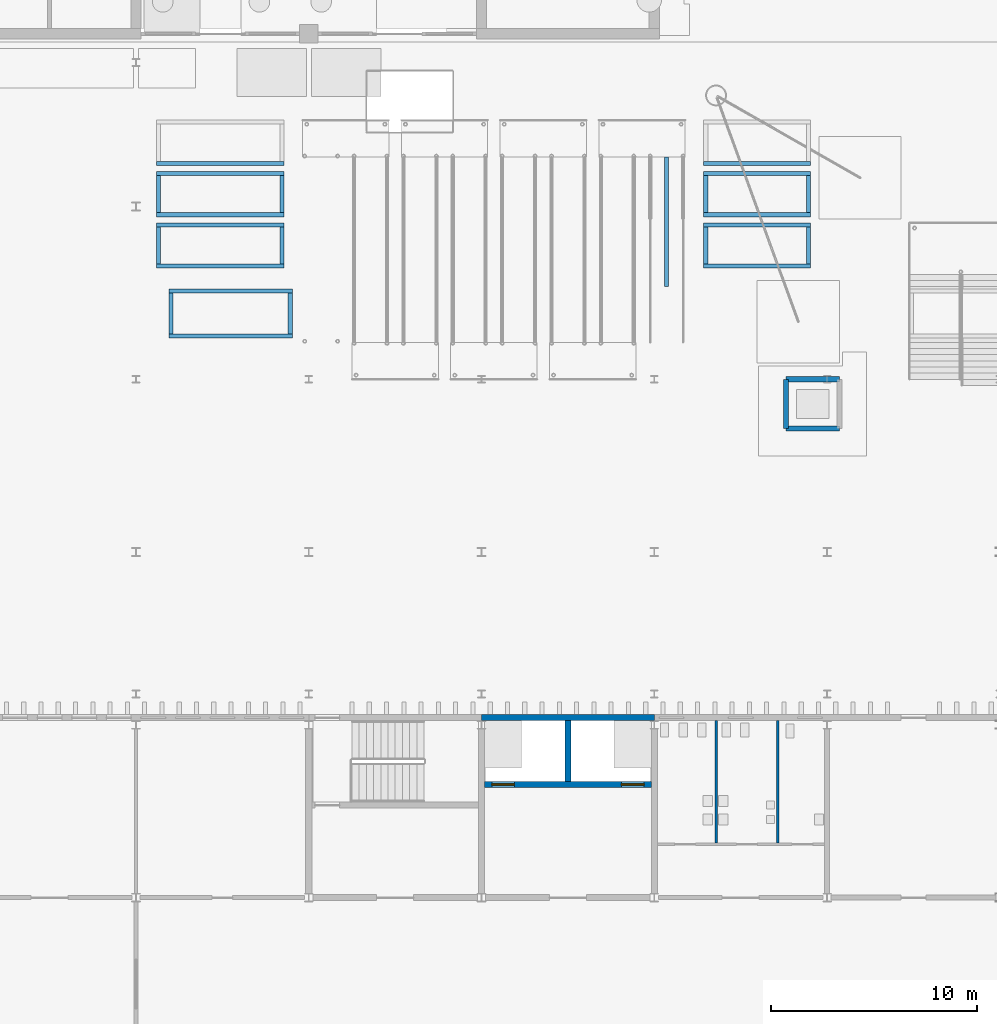
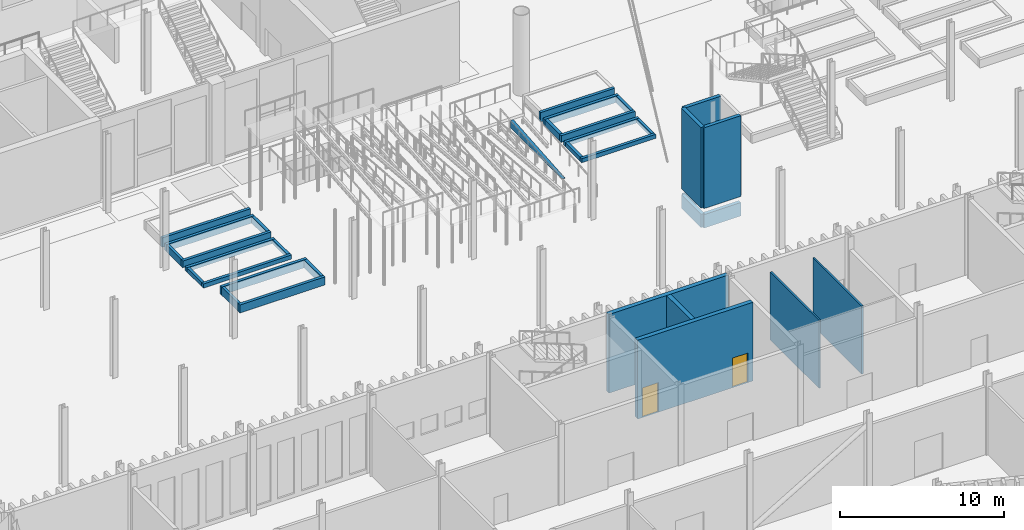
# One storey, part 60 of 108: 34 walls, 2 doors, 2 openings.
"""IFC4 building model written with IfcOpenShell, lengths in metres."""

from ifc_helpers import new_model, si_unit, direction, frame, frame_2d, origin, place, context, subcontext, project, spatial, polyline, rectangle, outline, extrude, material, layer, layer_set, type_object, element, fill, save


model = new_model("IFC4")

# Units and contexts
model_context = context("Model", 3, precision=1e-05, world=origin(), true_north=direction((0.0, 1.0)))
body_context = subcontext(model_context, "Body", "Model", "MODEL_VIEW")
ifc_project = project(units=[si_unit("LENGTHUNIT", "METRE"), si_unit("AREAUNIT", "SQUARE_METRE"), si_unit("VOLUMEUNIT", "CUBIC_METRE"), si_unit("PLANEANGLEUNIT", "RADIAN"), si_unit("MASSUNIT", "GRAM", prefix="KILO")], contexts=[model_context])

# Site, building, storey
site_placement = place(None, origin())
site = spatial("IfcSite", under=ifc_project, at=site_placement, CompositionType="ELEMENT")
building_placement = place(site_placement, origin())
building = spatial("IfcBuilding", under=site, at=building_placement, Name="Cresset Court Congress Hotel", CompositionType="ELEMENT")
storey_placement = place(building_placement, origin())
storey = spatial("IfcBuildingStorey", under=building, at=storey_placement, Name="L00", CompositionType="ELEMENT", Elevation=0.0)

# Wall, openings, doors
ifc_material_1 = material(Name="Concrete C50", Category="concrete")
ifc_layer_1 = layer(ifc_material_1, 0.300048828125)
ifc_layer_set_1 = layer_set([ifc_layer_1], Name="Core wall 300 Concrete C50")
wall_type_1 = type_object("IfcWallType", Name="Core wall 300 Concrete C50", PredefinedType="SHEAR", material=ifc_layer_set_1)
wall_1_placement = place(storey_placement, frame((109.35009765625, 22.300048828125, 0.0), z_axis=(0.0, 0.0, 1.0), x_axis=(1.0, 0.0, 0.0)))
wall_1 = element("IfcWall", 1, at=wall_1_placement, inside=storey, type_object=wall_type_1, Name="Core wall LC-B2", PredefinedType="SHEAR", context=body_context, shape_type="SweptSolid", body=[
    extrude(rectangle(XDim=8.099853515625, YDim=0.300048828125, at=frame_2d((4.0498046875, 0.0))), origin(), (0.0, 0.0, 1.0), 5.85009765625),
])
opening_1_placement = place(wall_1_placement, frame((0.35009765625, 0.0, 0.0)))
opening_1 = element("IfcOpeningElement", 2, at=opening_1_placement, cuts=wall_1, Name="Opening LD-B2-03", PredefinedType="OPENING", context=body_context, shape_type="SweptSolid", body=[
    extrude(rectangle(XDim=1.10009765625, YDim=2.199951171875, at=frame_2d((0.550048828125, 1.10009765625))), frame((0.0, 0.159912109375, 0.0), z_axis=(0.0, -1.0, 0.0), x_axis=(1.0, 0.0, 0.0)), (0.0, 0.0, 1.0), 0.320068359375),
])
opening_2_placement = place(wall_1_placement, frame((6.64990234375, 0.0, 0.0)))
opening_2 = element("IfcOpeningElement", 3, at=opening_2_placement, cuts=wall_1, Name="Opening LD-B2-04", PredefinedType="OPENING", context=body_context, shape_type="SweptSolid", body=[
    extrude(rectangle(XDim=1.10009765625, YDim=2.199951171875, at=frame_2d((0.550048828125, 1.10009765625))), frame((0.0, 0.159912109375, 0.0), z_axis=(0.0, -1.0, 0.0), x_axis=(1.0, 0.0, 0.0)), (0.0, 0.0, 1.0), 0.320068359375),
])
ifc_material_2 = material(Name="Stainless steel", Category="steel")
door_type = type_object("IfcDoorType", Name="Lift landing door sliding 1100x2200", OperationType="SLIDING_TO_LEFT", PredefinedType="DOOR", material=ifc_material_2)
door_1_placement = place(opening_1_placement, origin())
door_1 = element("IfcDoor", 4, at=door_1_placement, inside=storey, type_object=door_type, Name="Lift landing door LD-B2-03", OperationType="SLIDING_TO_LEFT", OverallHeight=2.199951171875, OverallWidth=1.10009765625, PredefinedType="DOOR", context=body_context, shape_type="SweptSolid", body=[
    extrude(rectangle(XDim=1.10009765625, YDim=2.199951171875, at=frame_2d((0.550048828125, 1.10009765625))), frame((0.0, 0.02490234375, 0.0), z_axis=(0.0, -1.0, 0.0), x_axis=(1.0, 0.0, 0.0)), (0.0, 0.0, 1.0), 0.050048828125),
])
fill(opening_1, door_1)
door_2_placement = place(opening_2_placement, origin())
door_2 = element("IfcDoor", 5, at=door_2_placement, inside=storey, type_object=door_type, Name="Lift landing door LD-B2-04", OperationType="SLIDING_TO_LEFT", OverallHeight=2.199951171875, OverallWidth=1.10009765625, PredefinedType="DOOR", context=body_context, shape_type="SweptSolid", body=[
    extrude(rectangle(XDim=1.10009765625, YDim=2.199951171875, at=frame_2d((0.550048828125, 1.10009765625))), frame((0.0, 0.02490234375, 0.0), z_axis=(0.0, -1.0, 0.0), x_axis=(1.0, 0.0, 0.0)), (0.0, 0.0, 1.0), 0.050048828125),
])
fill(opening_2, door_2)

# Walls
wall_2_placement = place(storey_placement, frame((113.39990234375, 22.449951171875, 0.0), z_axis=(0.0, 0.0, 1.0), x_axis=(0.0, 1.0, 0.0)))
element("IfcWall", 6, at=wall_2_placement, inside=storey, type_object=wall_type_1, Name="Core wall LC-B2", PredefinedType="SHEAR", context=body_context, shape_type="SweptSolid", body=[
    extrude(rectangle(XDim=2.949951171875, YDim=0.300048828125, at=frame_2d((1.47509765625, 0.0))), origin(), (0.0, 0.0, 1.0), 5.85009765625),
])
ifc_material_3 = material(Name="Concrete C50", Category="concrete")
ifc_layer_2 = layer(ifc_material_3, 0.300048828125)
ifc_layer_set_2 = layer_set([ifc_layer_2], Name="Core wall 300 Concrete C50 external")
wall_type_2 = type_object("IfcWallType", Name="Core wall 300 Concrete C50 external", PredefinedType="SHEAR", material=ifc_layer_set_2)
wall_3_placement = place(storey_placement, frame((109.199951171875, 25.550048828125, 0.0), z_axis=(0.0, 0.0, 1.0), x_axis=(1.0, 0.0, 0.0)))
element("IfcWall", 7, at=wall_3_placement, inside=storey, type_object=wall_type_2, Name="Core wall LC-B2", PredefinedType="SHEAR", context=body_context, shape_type="SweptSolid", body=[
    extrude(rectangle(XDim=8.400146484375, YDim=0.300048828125, at=frame_2d((4.2001953125, 0.0))), origin(), (0.0, 0.0, 1.0), 5.85009765625),
])
ifc_material_4 = material(Name="Concrete C50", Category="concrete")
ifc_layer_3 = layer(ifc_material_4, 0.25)
ifc_layer_set_3 = layer_set([ifc_layer_3], Name="Lift shaft wall 250")
wall_type_3 = type_object("IfcWallType", Name="Lift shaft wall 250", PredefinedType="SOLIDWALL", material=ifc_layer_set_3)
for number, where, z_axis, x_axis, name in (
    (8, (124.0, 39.60009765625, -1.449951171875), (0.0, 0.0, 1.0), (1.0, 0.0, 0.0), "S.lift.L00.LF-S1.pit.S"),
    (9, (124.0, 42.0, -1.449951171875), (0.0, 0.0, 1.0), (1.0, 0.0, 0.0), "S.lift.L00.LF-S1.pit.N"),
):
    element("IfcWall", number, at=place(storey_placement, frame(where, z_axis=z_axis, x_axis=x_axis)), inside=storey, type_object=wall_type_3, Name=name, PredefinedType="SOLIDWALL", context=body_context, shape_type="SweptSolid", body=[
        extrude(rectangle(XDim=2.60009765625, YDim=0.25, at=frame_2d((1.300048828125, 0.0))), origin(), (0.0, 0.0, 1.0), 1.0),
    ])
wall_4_placement = place(storey_placement, frame((124.0, 39.60009765625, -1.449951171875), z_axis=(0.0, 0.0, 1.0), x_axis=(0.0, 1.0, 0.0)))
element("IfcWall", 10, at=wall_4_placement, inside=storey, type_object=wall_type_3, Name="S.lift.L00.LF-S1.pit.W", PredefinedType="SOLIDWALL", context=body_context, shape_type="SweptSolid", body=[
    extrude(rectangle(XDim=2.39990234375, YDim=0.25, at=frame_2d((1.199951171875, 0.0))), origin(), (0.0, 0.0, 1.0), 1.0),
])
for number, where, z_axis, x_axis, name in (
    (11, (124.0, 39.60009765625, 0.0), (0.0, 0.0, 1.0), (1.0, 0.0, 0.0), "S.lift.L00.LF-S1.S"),
    (12, (124.0, 42.0, 0.0), (0.0, 0.0, 1.0), (1.0, 0.0, 0.0), "S.lift.L00.LF-S1.N"),
):
    element("IfcWall", number, at=place(storey_placement, frame(where, z_axis=z_axis, x_axis=x_axis)), inside=storey, type_object=wall_type_3, Name=name, PredefinedType="SOLIDWALL", context=body_context, shape_type="SweptSolid", body=[
        extrude(rectangle(XDim=2.60009765625, YDim=0.25, at=frame_2d((1.300048828125, 0.0))), origin(), (0.0, 0.0, 1.0), 6.0),
    ])
wall_5_placement = place(storey_placement, frame((124.0, 39.60009765625, 0.0), z_axis=(0.0, 0.0, 1.0), x_axis=(0.0, 1.0, 0.0)))
element("IfcWall", 13, at=wall_5_placement, inside=storey, type_object=wall_type_3, Name="S.lift.L00.LF-S1.W", PredefinedType="SOLIDWALL", context=body_context, shape_type="SweptSolid", body=[
    extrude(rectangle(XDim=2.39990234375, YDim=0.25, at=frame_2d((1.199951171875, 0.0))), origin(), (0.0, 0.0, 1.0), 6.0),
])
ifc_material_5 = material(Name="Concrete C35", Category="concrete")
ifc_layer_4 = layer(ifc_material_5, 0.199951171875)
ifc_layer_set_4 = layer_set([ifc_layer_4], Name="Planter wall 200")
wall_type_4 = type_object("IfcWallType", Name="Planter wall 200", PredefinedType="SOLIDWALL", material=ifc_layer_set_4)
for number, where, z_axis, x_axis, name in (
    (14, (93.39990234375, 47.5, 0.0), (0.0, 0.0, 1.0), (1.0, 0.0, 0.0), "Terrace planter wall 07"),
    (15, (93.39990234375, 49.5, 0.0), (0.0, 0.0, 1.0), (1.0, 0.0, 0.0), "Terrace planter wall 07"),
):
    element("IfcWall", number, at=place(storey_placement, frame(where, z_axis=z_axis, x_axis=x_axis)), inside=storey, type_object=wall_type_4, Name=name, PredefinedType="SOLIDWALL", context=body_context, shape_type="SweptSolid", body=[
        extrude(rectangle(XDim=6.2001953125, YDim=0.199951171875, at=frame_2d((3.10009765625, 0.0))), origin(), (0.0, 0.0, 1.0), 0.300048828125),
    ])
for number, where, z_axis, x_axis, name in (
    (16, (93.5, 47.60009765625, 0.0), (0.0, 0.0, 1.0), (0.0, 1.0, 0.0), "Terrace planter wall 07"),
    (17, (99.5, 47.60009765625, 0.0), (0.0, 0.0, 1.0), (0.0, 1.0, 0.0), "Terrace planter wall 07"),
):
    element("IfcWall", number, at=place(storey_placement, frame(where, z_axis=z_axis, x_axis=x_axis)), inside=storey, type_object=wall_type_4, Name=name, PredefinedType="SOLIDWALL", context=body_context, shape_type="SweptSolid", body=[
        extrude(rectangle(XDim=1.7998046875, YDim=0.199951171875, at=frame_2d((0.89990234375, 0.0))), origin(), (0.0, 0.0, 1.0), 0.300048828125),
    ])
for number, where, z_axis, x_axis, name in (
    (18, (93.39990234375, 50.0, 0.0), (0.0, 0.0, 1.0), (1.0, 0.0, 0.0), "Terrace planter wall 08"),
    (19, (93.39990234375, 52.0, 0.0), (0.0, 0.0, 1.0), (1.0, 0.0, 0.0), "Terrace planter wall 08"),
):
    element("IfcWall", number, at=place(storey_placement, frame(where, z_axis=z_axis, x_axis=x_axis)), inside=storey, type_object=wall_type_4, Name=name, PredefinedType="SOLIDWALL", context=body_context, shape_type="SweptSolid", body=[
        extrude(rectangle(XDim=6.2001953125, YDim=0.199951171875, at=frame_2d((3.10009765625, 0.0))), origin(), (0.0, 0.0, 1.0), 0.5),
    ])
for number, where, z_axis, x_axis, name in (
    (20, (93.5, 50.10009765625, 0.0), (0.0, 0.0, 1.0), (0.0, 1.0, 0.0), "Terrace planter wall 08"),
    (21, (99.5, 50.10009765625, 0.0), (0.0, 0.0, 1.0), (0.0, 1.0, 0.0), "Terrace planter wall 08"),
):
    element("IfcWall", number, at=place(storey_placement, frame(where, z_axis=z_axis, x_axis=x_axis)), inside=storey, type_object=wall_type_4, Name=name, PredefinedType="SOLIDWALL", context=body_context, shape_type="SweptSolid", body=[
        extrude(rectangle(XDim=1.7998046875, YDim=0.199951171875, at=frame_2d((0.89990234375, 0.0))), origin(), (0.0, 0.0, 1.0), 0.5),
    ])
wall_6_placement = place(storey_placement, frame((93.39990234375, 52.5, 0.0), z_axis=(0.0, 0.0, 1.0), x_axis=(1.0, 0.0, 0.0)))
element("IfcWall", 22, at=wall_6_placement, inside=storey, type_object=wall_type_4, Name="Terrace planter wall 09", PredefinedType="SOLIDWALL", context=body_context, shape_type="SweptSolid", body=[
    extrude(rectangle(XDim=6.2001953125, YDim=0.199951171875, at=frame_2d((3.10009765625, 0.0))), origin(), (0.0, 0.0, 1.0), 0.699951171875),
])
for number, where, z_axis, x_axis, name in (
    (23, (120.0, 47.5, 0.0), (0.0, 0.0, 1.0), (1.0, 0.0, 0.0), "Terrace planter wall 10"),
    (24, (120.0, 49.5, 0.0), (0.0, 0.0, 1.0), (1.0, 0.0, 0.0), "Terrace planter wall 10"),
):
    element("IfcWall", number, at=place(storey_placement, frame(where, z_axis=z_axis, x_axis=x_axis)), inside=storey, type_object=wall_type_4, Name=name, PredefinedType="SOLIDWALL", context=body_context, shape_type="SweptSolid", body=[
        extrude(rectangle(XDim=5.199951171875, YDim=0.199951171875, at=frame_2d((2.60009765625, 0.0))), origin(), (0.0, 0.0, 1.0), 0.300048828125),
    ])
for number, where, z_axis, x_axis, name in (
    (25, (120.10009765625, 47.60009765625, 0.0), (0.0, 0.0, 1.0), (0.0, 1.0, 0.0), "Terrace planter wall 10"),
    (26, (125.10009765625, 47.60009765625, 0.0), (0.0, 0.0, 1.0), (0.0, 1.0, 0.0), "Terrace planter wall 10"),
):
    element("IfcWall", number, at=place(storey_placement, frame(where, z_axis=z_axis, x_axis=x_axis)), inside=storey, type_object=wall_type_4, Name=name, PredefinedType="SOLIDWALL", context=body_context, shape_type="SweptSolid", body=[
        extrude(rectangle(XDim=1.7998046875, YDim=0.199951171875, at=frame_2d((0.89990234375, 0.0))), origin(), (0.0, 0.0, 1.0), 0.300048828125),
    ])
for number, where, z_axis, x_axis, name in (
    (27, (120.0, 50.0, 0.0), (0.0, 0.0, 1.0), (1.0, 0.0, 0.0), "Terrace planter wall 11"),
    (28, (120.0, 52.0, 0.0), (0.0, 0.0, 1.0), (1.0, 0.0, 0.0), "Terrace planter wall 11"),
):
    element("IfcWall", number, at=place(storey_placement, frame(where, z_axis=z_axis, x_axis=x_axis)), inside=storey, type_object=wall_type_4, Name=name, PredefinedType="SOLIDWALL", context=body_context, shape_type="SweptSolid", body=[
        extrude(rectangle(XDim=5.199951171875, YDim=0.199951171875, at=frame_2d((2.60009765625, 0.0))), origin(), (0.0, 0.0, 1.0), 0.5),
    ])
for number, where, z_axis, x_axis, name in (
    (29, (120.10009765625, 50.10009765625, 0.0), (0.0, 0.0, 1.0), (0.0, 1.0, 0.0), "Terrace planter wall 11"),
    (30, (125.10009765625, 50.10009765625, 0.0), (0.0, 0.0, 1.0), (0.0, 1.0, 0.0), "Terrace planter wall 11"),
):
    element("IfcWall", number, at=place(storey_placement, frame(where, z_axis=z_axis, x_axis=x_axis)), inside=storey, type_object=wall_type_4, Name=name, PredefinedType="SOLIDWALL", context=body_context, shape_type="SweptSolid", body=[
        extrude(rectangle(XDim=1.7998046875, YDim=0.199951171875, at=frame_2d((0.89990234375, 0.0))), origin(), (0.0, 0.0, 1.0), 0.5),
    ])
wall_7_placement = place(storey_placement, frame((120.0, 52.5, 0.0), z_axis=(0.0, 0.0, 1.0), x_axis=(1.0, 0.0, 0.0)))
element("IfcWall", 31, at=wall_7_placement, inside=storey, type_object=wall_type_4, Name="Terrace planter wall 12", PredefinedType="SOLIDWALL", context=body_context, shape_type="SweptSolid", body=[
    extrude(rectangle(XDim=5.199951171875, YDim=0.199951171875, at=frame_2d((2.60009765625, 0.0))), origin(), (0.0, 0.0, 1.0), 0.699951171875),
])
for number, where, z_axis, x_axis, name in (
    (32, (94.0, 44.10009765625, 0.0), (0.0, 0.0, 1.0), (1.0, 0.0, 0.0), "S.planter.L00.15.S"),
    (33, (94.0, 46.300048828125, 0.0), (0.0, 0.0, 1.0), (1.0, 0.0, 0.0), "S.planter.L00.15.N"),
):
    element("IfcWall", number, at=place(storey_placement, frame(where, z_axis=z_axis, x_axis=x_axis)), inside=storey, type_object=wall_type_4, Name=name, PredefinedType="SOLIDWALL", context=body_context, shape_type="SweptSolid", body=[
        extrude(rectangle(XDim=6.0, YDim=0.199951171875, at=frame_2d((3.0, 0.0))), origin(), (0.0, 0.0, 1.0), 0.60009765625),
    ])
for number, where, z_axis, x_axis, name in (
    (34, (94.10009765625, 44.199951171875, 0.0), (0.0, 0.0, 1.0), (0.0, 1.0, 0.0), "S.planter.L00.15.W"),
    (35, (99.89990234375, 44.199951171875, 0.0), (0.0, 0.0, 1.0), (0.0, 1.0, 0.0), "S.planter.L00.15.E"),
):
    element("IfcWall", number, at=place(storey_placement, frame(where, z_axis=z_axis, x_axis=x_axis)), inside=storey, type_object=wall_type_4, Name=name, PredefinedType="SOLIDWALL", context=body_context, shape_type="SweptSolid", body=[
        extrude(rectangle(XDim=2.0, YDim=0.199951171875, at=frame_2d((1.0, 0.0))), origin(), (0.0, 0.0, 1.0), 0.60009765625),
    ])
ifc_material_6 = material(Name="Concrete C35", Category="concrete")
ifc_layer_5 = layer(ifc_material_6, 0.199951171875)
ifc_layer_set_5 = layer_set([ifc_layer_5], Name="Ramp cheek wall 200")
wall_type_5 = type_object("IfcWallType", Name="Ramp cheek wall 200", PredefinedType="SOLIDWALL", material=ifc_layer_set_5)
wall_8_placement = place(storey_placement, frame((118.199951171875, 52.800048828125, 0.0), z_axis=(0.0, 0.0, 1.0), x_axis=(0.0, -1.0, 0.0)))
element("IfcWall", 36, at=wall_8_placement, inside=storey, type_object=wall_type_5, Name="Ramp cheek wall D01", PredefinedType="SOLIDWALL", context=body_context, shape_type="SweptSolid", body=[
    extrude(outline(polyline([(0.0, 0.0), (6.300048828125, 0.0), (6.300048828125, 0.02490234375), (0.0, 0.550048828125), (0.0, 0.0)])), frame((0.0, 0.10009765625, 0.0), z_axis=(0.0, -1.0, 0.0), x_axis=(1.0, 0.0, 0.0)), (0.0, 0.0, 1.0), 0.199951171875),
])
ifc_material_7 = material(Name="Moisture-resistant board on steel studs", Category="steel")
ifc_layer_6 = layer(ifc_material_7, 0.125)
ifc_layer_set_6 = layer_set([ifc_layer_6], Name="Wet area partition 125")
wall_type_6 = type_object("IfcWallType", Name="Wet area partition 125", PredefinedType="PARTITIONING", material=ifc_layer_set_6)
for number, where, z_axis, x_axis, name in (
    (37, (120.60009765625, 19.46240234375, 0.0), (0.0, 0.0, 1.0), (0.0, 1.0, 0.0), "Wet area partition"),
    (38, (123.60009765625, 19.46240234375, 0.0), (0.0, 0.0, 1.0), (0.0, 1.0, 0.0), "Wet area partition"),
):
    element("IfcWall", number, at=place(storey_placement, frame(where, z_axis=z_axis, x_axis=x_axis)), inside=storey, type_object=wall_type_6, Name=name, PredefinedType="PARTITIONING", context=body_context, shape_type="SweptSolid", body=[
        extrude(rectangle(XDim=5.9375, YDim=0.125, at=frame_2d((2.96875, 0.0))), origin(), (0.0, 0.0, 1.0), 5.050048828125),
    ])

save(model, "model.ifc")
